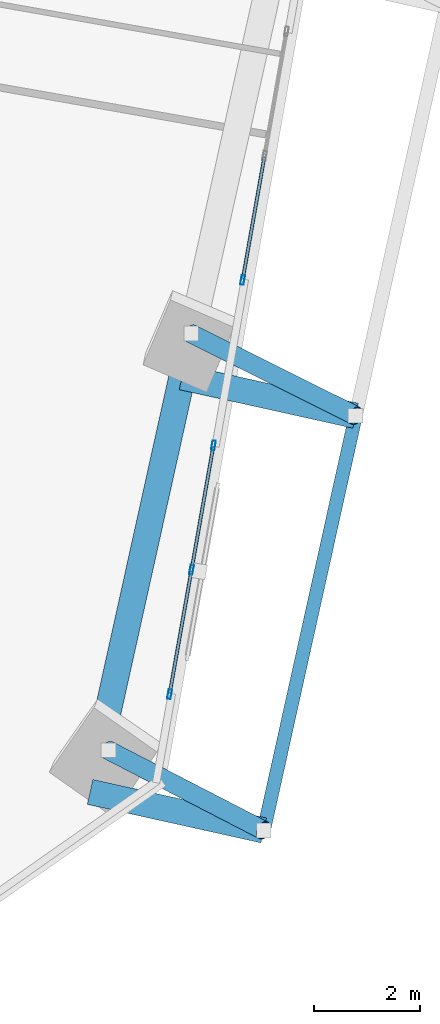
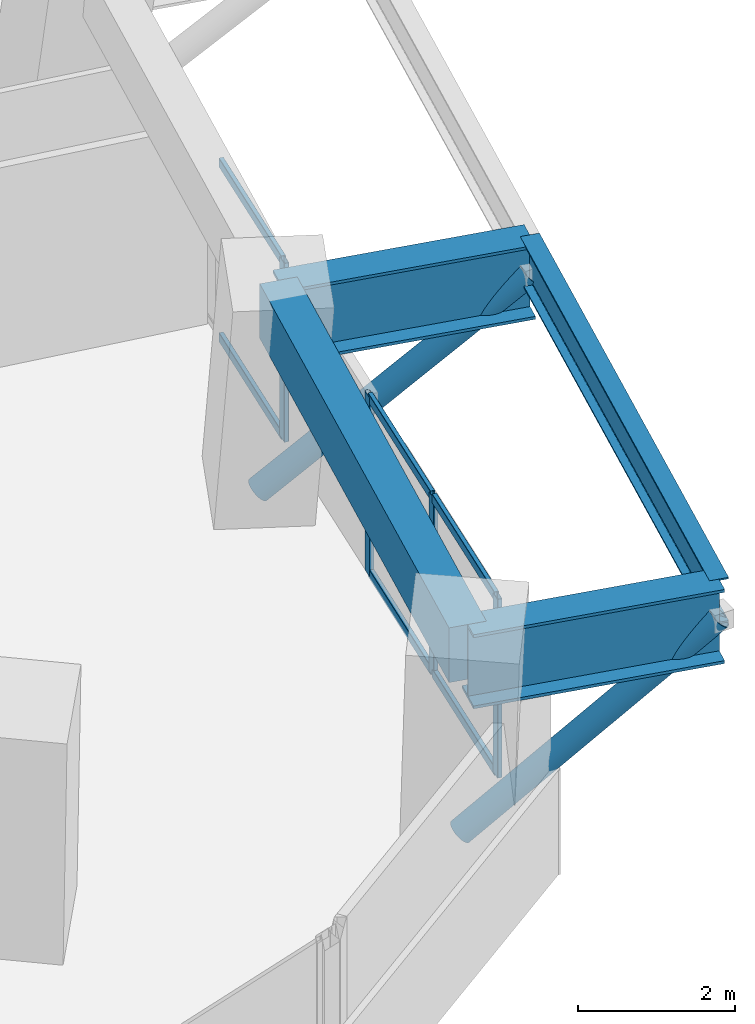
# One storey, part 9 of 24: 12 members, 4 beams, 2 elements without a shape of their own.
"""IFC4 building model written with IfcOpenShell, lengths in metres."""

from ifc_helpers import new_model, si_unit, direction, frame, origin, origin_2d, place, context, subcontext, project, spatial, rectangle, hollow_rectangle, hollow_circle, i_section, extrude, source, transform, mapped, material, material_profile, profile_set, type_object, element, aggregate, save


model = new_model("IFC4")

# Units and contexts
model_context = context("Model", 3, precision=1e-05, world=origin(), true_north=direction((0.0, 1.0)))
body_context = subcontext(model_context, "Body", "Model", "MODEL_VIEW")
ifc_project = project(units=[si_unit("LENGTHUNIT", "METRE"), si_unit("AREAUNIT", "SQUARE_METRE"), si_unit("VOLUMEUNIT", "CUBIC_METRE"), si_unit("PLANEANGLEUNIT", "RADIAN"), si_unit("MASSUNIT", "GRAM", prefix="KILO")], contexts=[model_context])

# Site, building, storey
site_placement = place(None, origin())
site = spatial("IfcSite", under=ifc_project, at=site_placement, CompositionType="ELEMENT")
building_placement = place(site_placement, origin())
building = spatial("IfcBuilding", under=site, at=building_placement, Name="Torre Montelarca", CompositionType="ELEMENT")
storey_placement = place(building_placement, frame((0.0, 0.0, 83.199951171875)))
storey = spatial("IfcBuildingStorey", under=building, at=storey_placement, Name="L18", CompositionType="ELEMENT", Elevation=83.199951171875)

# Members
ifc_material_1 = material(Name="Steel ASTM A500 Grade C", Category="steel")
ifc_material_profile_1 = material_profile(ifc_material_1, hollow_circle(Radius=0.177734375, WallThickness=0.015869140625, at=origin_2d()), Name="HSS355.6X15.9", Category="steel")
ifc_profile_set_1 = profile_set([ifc_material_profile_1], Name="Steel ASTM A500 Grade C")
member_type_1 = type_object("IfcMemberType", Name="MB-BR-CHS356-EXT", PredefinedType="BRACE", material=ifc_profile_set_1)
shared_shape_1 = source(origin(), body_context, "Body", "SweptSolid", [
    extrude(hollow_circle(Radius=0.177734375, WallThickness=0.015869140625, at=origin_2d()), origin(), (0.0, 0.0, 1.0), 4.61669921875),
])
member_1_placement = place(storey_placement, frame((57.699462890625, 16.642578125, 0.150146484375), z_axis=(0.633990547779, -0.327280632263, 0.700673513894), x_axis=(0.458708996357, 0.888586549899, 0.0)))
element("IfcMember", 1, at=member_1_placement, inside=storey, type_object=member_type_1, Name="L19 Sliding Tray Exterior Diagonal Raker Strut E1", PredefinedType="BRACE", context=body_context, shape_type="MappedRepresentation", body=[
    mapped(shared_shape_1, transform((0.0, 0.0, 0.0), scale=1.0)),
])
shared_shape_2 = source(origin(), body_context, "Body", "SweptSolid", [
    extrude(hollow_circle(Radius=0.177734375, WallThickness=0.015869140625, at=origin_2d()), origin(), (0.0, 0.0, 1.0), 4.738525390625),
])
member_2_placement = place(storey_placement, frame((59.26025390625, 24.489013671875, 0.150146484375), z_axis=(0.653720703789, -0.326499692616, 0.682676491583), x_axis=(0.446818698725, 0.894624530443, 0.0)))
element("IfcMember", 2, at=member_2_placement, inside=storey, type_object=member_type_1, Name="L19 Sliding Tray Exterior Diagonal Raker Strut E2", PredefinedType="BRACE", context=body_context, shape_type="MappedRepresentation", body=[
    mapped(shared_shape_2, transform((0.0, 0.0, 0.0), scale=1.0)),
])

# Beams
ifc_material_2 = material(Name="Concrete C55/67", Category="concrete")
ifc_material_profile_2 = material_profile(ifc_material_2, rectangle(XDim=0.5, YDim=0.85009765625, at=origin_2d()), Name="RCB500X850", Category="concrete")
ifc_profile_set_2 = profile_set([ifc_material_profile_2], Name="Concrete C55/67")
beam_type_1 = type_object("IfcBeamType", Name="BM-SP-RC850-EXT", PredefinedType="SPANDREL", material=ifc_profile_set_2)
shared_shape_3 = source(origin(), body_context, "Body", "SweptSolid", [
    extrude(rectangle(XDim=0.5, YDim=0.85009765625, at=origin_2d()), origin(), (0.0, 0.0, 1.0), 8.0),
])
beam_1_placement = place(storey_placement, frame((57.35595703125, 15.856689453125, 3.53515625), z_axis=(0.216432808664, 0.976297515788, 0.0), x_axis=(-0.976297515788, 0.216432808664, 0.0)))
element("IfcBeam", 3, at=beam_1_placement, inside=storey, type_object=beam_type_1, Name="L18 Grid Girder Y 24.0-32.0 at X=60.0", PredefinedType="SPANDREL", context=body_context, shape_type="MappedRepresentation", body=[
    mapped(shared_shape_3, transform((0.0, 0.0, 0.0), scale=1.0)),
])
ifc_material_3 = material(Name="Steel ASTM A572 Grade 50", Category="steel")
ifc_material_profile_3 = material_profile(ifc_material_3, i_section(OverallWidth=0.47998046875, OverallDepth=1.14990234375, WebThickness=0.02197265625, FlangeThickness=0.044921875, at=origin_2d()), Name="PG1150X480X22X45", Category="steel")
ifc_profile_set_3 = profile_set([ifc_material_profile_3], Name="Steel ASTM A572 Grade 50")
beam_type_2 = type_object("IfcBeamType", Name="BM-CG-PG1400-EXT", PredefinedType="USERDEFINED", material=ifc_profile_set_3)
shared_shape_4 = source(origin(), body_context, "Body", "SweptSolid", [
    extrude(i_section(OverallWidth=0.47998046875, OverallDepth=1.14990234375, WebThickness=0.02197265625, FlangeThickness=0.044921875, at=origin_2d()), origin(), (0.0, 0.0, 1.0), 3.349853515625),
])
for number, where, z_axis, x_axis, name in (
    (4, (57.35595703125, 15.856689453125, 3.385009765625), (0.976293261216, -0.216451999538, 0.0), (0.216451999538, 0.976293261216, 0.0), "L18 Sliding Tray Cantilever Girder East Y=24m (FLR)"),
    (5, (59.08740234375, 23.6669921875, 3.385009765625), (0.976293261216, -0.216451999538, 0.0), (0.216451999538, 0.976293261216, 0.0), "L18 Sliding Tray Cantilever Girder East Y=32m (FLR)"),
):
    element("IfcBeam", number, at=place(storey_placement, frame(where, z_axis=z_axis, x_axis=x_axis)), inside=storey, type_object=beam_type_2, Name=name, ObjectType="CANTILEVER GIRDER", PredefinedType="USERDEFINED", context=body_context, shape_type="MappedRepresentation", body=[
        mapped(shared_shape_4, transform((0.0, 0.0, 0.0), scale=1.0)),
    ])
ifc_material_4 = material(Name="Steel ASTM A992 Grade 50", Category="steel")
ifc_material_profile_4 = material_profile(ifc_material_4, i_section(OverallWidth=0.256103515625, OverallDepth=0.693115234375, WebThickness=0.014404296875, FlangeThickness=0.023681640625, FilletRadius=0.01806640625, at=origin_2d()), Name="W690X170", Category="steel")
ifc_profile_set_4 = profile_set([ifc_material_profile_4], Name="Steel ASTM A992 Grade 50")
beam_type_3 = type_object("IfcBeamType", Name="BM-G-W690-EXT", PredefinedType="BEAM", material=ifc_profile_set_4)
shared_shape_5 = source(origin(), body_context, "Body", "SweptSolid", [
    extrude(i_section(OverallWidth=0.256103515625, OverallDepth=0.693115234375, WebThickness=0.014404296875, FlangeThickness=0.023681640625, FilletRadius=0.01806640625, at=origin_2d()), origin(), (0.0, 0.0, 1.0), 8.0),
])
beam_2_placement = place(storey_placement, frame((60.62646484375, 15.131591796875, 3.614013671875), z_axis=(0.216432808664, 0.976297515788, 0.0), x_axis=(-0.976297515788, 0.216432808664, 0.0)))
element("IfcBeam", 6, at=beam_2_placement, inside=storey, type_object=beam_type_3, Name="L18 Sliding Tray Edge Girder East 24-32m (FLR)", PredefinedType="BEAM", context=body_context, shape_type="MappedRepresentation", body=[
    mapped(shared_shape_5, transform((0.0, 0.0, 0.0), scale=1.0)),
])

# Curtain wall, members
ifc_material_5 = material(Name="Insulated low-E laminated glass", Category="glass")
curtain_wall_type = type_object("IfcCurtainWallType", Name="CW-SYS-Z1", PredefinedType="USERDEFINED", material=ifc_material_5)
curtain_wall_1_placement = place(storey_placement, origin())
curtain_wall_1 = element("IfcCurtainWall", 7, at=curtain_wall_1_placement, inside=storey, type_object=curtain_wall_type, Name="L18 Curtain Wall Run CW-T3-L18-E06-B1", ObjectType="UNITISED GLAZING", PredefinedType="USERDEFINED")
ifc_material_6 = material(Name="Anodised aluminium AA 6063-T6", Category="aluminium")
ifc_material_profile_5 = material_profile(ifc_material_6, hollow_rectangle(XDim=0.06494140625, YDim=0.139892578125, WallThickness=0.00390625, InnerFilletRadius=0.00390625, OuterFilletRadius=0.008056640625, at=origin_2d()), Name="ALU65X140X4", Category="aluminium")
ifc_profile_set_5 = profile_set([ifc_material_profile_5], Name="Anodised aluminium AA 6063-T6")
member_type_2 = type_object("IfcMemberType", Name="CWT-ALU140", PredefinedType="USERDEFINED", material=ifc_profile_set_5)
shared_shape_6 = source(origin(), body_context, "Body", "SweptSolid", [
    extrude(hollow_rectangle(XDim=0.06494140625, YDim=0.139892578125, WallThickness=0.00390625, InnerFilletRadius=0.00390625, OuterFilletRadius=0.008056640625, at=origin_2d()), origin(), (0.0, 0.0, 1.0), 2.314208984375),
])
member_3_placement = place(storey_placement, frame((59.2724609375, 20.071044921875, 0.032470703125), z_axis=(0.173646912548, 0.984807976086, 0.0), x_axis=(-0.984807976086, 0.173646912548, 0.0)))
member_3 = element("IfcMember", 8, at=member_3_placement, type_object=member_type_2, Name="CW transom 2.1", ObjectType="TRANSOM", PredefinedType="USERDEFINED", context=body_context, shape_type="MappedRepresentation", body=[
    mapped(shared_shape_6, transform((0.0, 0.0, 0.0), scale=1.0)),
])
member_4_placement = place(storey_placement, frame((59.2724609375, 20.071044921875, 2.742431640625), z_axis=(0.173646912548, 0.984807976086, 0.0), x_axis=(-0.984807976086, 0.173646912548, 0.0)))
member_4 = element("IfcMember", 9, at=member_4_placement, type_object=member_type_2, Name="CW transom 2.2", ObjectType="TRANSOM", PredefinedType="USERDEFINED", context=body_context, shape_type="MappedRepresentation", body=[
    mapped(shared_shape_6, transform((0.0, 0.0, 0.0), scale=1.0)),
])

curtain_wall_2_placement = place(storey_placement, origin())
curtain_wall_2 = element("IfcCurtainWall", 10, at=curtain_wall_2_placement, inside=storey, type_object=curtain_wall_type, Name="L18 Curtain Wall Run CW-T3-L18-E06-B2", ObjectType="UNITISED GLAZING", PredefinedType="USERDEFINED")
shared_shape_7 = source(origin(), body_context, "Body", "SweptSolid", [
    extrude(hollow_rectangle(XDim=0.06494140625, YDim=0.139892578125, WallThickness=0.00390625, InnerFilletRadius=0.00390625, OuterFilletRadius=0.008056640625, at=origin_2d()), origin(), (0.0, 0.0, 1.0), 2.3115234375),
])
member_5_placement = place(storey_placement, frame((60.235107421875, 25.530517578125, 0.032470703125), z_axis=(0.173640723585, 0.984809067339, 0.0), x_axis=(-0.984809067339, 0.173640723585, 0.0)))
member_5 = element("IfcMember", 11, at=member_5_placement, type_object=member_type_2, Name="CW transom 1.1", ObjectType="TRANSOM", PredefinedType="USERDEFINED", context=body_context, shape_type="MappedRepresentation", body=[
    mapped(shared_shape_7, transform((0.0, 0.0, 0.0), scale=1.0)),
])
member_6_placement = place(storey_placement, frame((60.235107421875, 25.530517578125, 2.742431640625), z_axis=(0.173640723585, 0.984809067339, 0.0), x_axis=(-0.984809067339, 0.173640723585, 0.0)))
member_6 = element("IfcMember", 12, at=member_6_placement, type_object=member_type_2, Name="CW transom 1.2", ObjectType="TRANSOM", PredefinedType="USERDEFINED", context=body_context, shape_type="MappedRepresentation", body=[
    mapped(shared_shape_7, transform((0.0, 0.0, 0.0), scale=1.0)),
])

# Member
ifc_material_profile_6 = material_profile(ifc_material_6, hollow_rectangle(XDim=0.06494140625, YDim=0.179931640625, WallThickness=0.00390625, InnerFilletRadius=0.00390625, OuterFilletRadius=0.008056640625, at=origin_2d()), Name="ALU65X180X4", Category="aluminium")
ifc_profile_set_6 = profile_set([ifc_material_profile_6], Name="Anodised aluminium AA 6063-T6")
member_type_3 = type_object("IfcMemberType", Name="CWM-ALU180", PredefinedType="MULLION", material=ifc_profile_set_6)
shared_shape_8 = source(origin(), body_context, "Body", "SweptSolid", [
    extrude(hollow_rectangle(XDim=0.06494140625, YDim=0.179931640625, WallThickness=0.00390625, InnerFilletRadius=0.00390625, OuterFilletRadius=0.008056640625, at=origin_2d()), origin(), (0.0, 0.0, 1.0), 2.775146484375),
])
member_7_placement = place(storey_placement, frame((58.853515625, 17.69580078125, 0.0), z_axis=(0.0, 0.0, 1.0), x_axis=(-0.984805047515, 0.173663520603, 0.0)))
member_7 = element("IfcMember", 13, at=member_7_placement, type_object=member_type_3, Name="CW mullion 1", PredefinedType="MULLION", context=body_context, shape_type="MappedRepresentation", body=[
    mapped(shared_shape_8, transform((0.0, 0.0, 0.0), scale=1.0)),
])

member_8_placement = place(storey_placement, frame((59.266845703125, 20.0390625, 0.0), z_axis=(0.0, 0.0, 1.0), x_axis=(-0.984805047515, 0.173663520603, 0.0)))
member_8 = element("IfcMember", 14, at=member_8_placement, type_object=member_type_3, Name="CW mullion 2", PredefinedType="MULLION", context=body_context, shape_type="MappedRepresentation", body=[
    mapped(shared_shape_8, transform((0.0, 0.0, 0.0), scale=1.0)),
])

member_9_placement = place(storey_placement, frame((59.679931640625, 22.382080078125, 0.0), z_axis=(0.0, 0.0, 1.0), x_axis=(-0.984805047515, 0.173663520603, 0.0)))
member_9 = element("IfcMember", 15, at=member_9_placement, type_object=member_type_3, Name="CW mullion 3", PredefinedType="MULLION", context=body_context, shape_type="MappedRepresentation", body=[
    mapped(shared_shape_8, transform((0.0, 0.0, 0.0), scale=1.0)),
])

member_10_placement = place(storey_placement, frame((60.2294921875, 25.49853515625, 0.0), z_axis=(0.0, 0.0, 1.0), x_axis=(-0.984808414108, 0.173644428366, 0.0)))
member_10 = element("IfcMember", 16, at=member_10_placement, type_object=member_type_3, Name="CW mullion 1", PredefinedType="MULLION", context=body_context, shape_type="MappedRepresentation", body=[
    mapped(shared_shape_8, transform((0.0, 0.0, 0.0), scale=1.0)),
])

aggregate(curtain_wall_2, [member_10, member_5, member_6])

shared_shape_9 = source(origin(), body_context, "Body", "SweptSolid", [
    extrude(hollow_rectangle(XDim=0.06494140625, YDim=0.139892578125, WallThickness=0.00390625, InnerFilletRadius=0.00390625, OuterFilletRadius=0.008056640625, at=origin_2d()), origin(), (0.0, 0.0, 1.0), 2.314453125),
])
member_11_placement = place(storey_placement, frame((58.859130859375, 17.727783203125, 0.032470703125), z_axis=(0.17362887359, 0.984811156647, 0.0), x_axis=(-0.984811156647, 0.17362887359, 0.0)))
member_11 = element("IfcMember", 17, at=member_11_placement, type_object=member_type_2, Name="CW transom 1.1", ObjectType="TRANSOM", PredefinedType="USERDEFINED", context=body_context, shape_type="MappedRepresentation", body=[
    mapped(shared_shape_9, transform((0.0, 0.0, 0.0), scale=1.0)),
])

member_12_placement = place(storey_placement, frame((58.859130859375, 17.727783203125, 2.742431640625), z_axis=(0.17362887359, 0.984811156647, 0.0), x_axis=(-0.984811156647, 0.17362887359, 0.0)))
member_12 = element("IfcMember", 18, at=member_12_placement, type_object=member_type_2, Name="CW transom 1.2", ObjectType="TRANSOM", PredefinedType="USERDEFINED", context=body_context, shape_type="MappedRepresentation", body=[
    mapped(shared_shape_9, transform((0.0, 0.0, 0.0), scale=1.0)),
])

aggregate(curtain_wall_1, [member_7, member_8, member_9, member_11, member_12, member_3, member_4])

save(model, "model.ifc")
